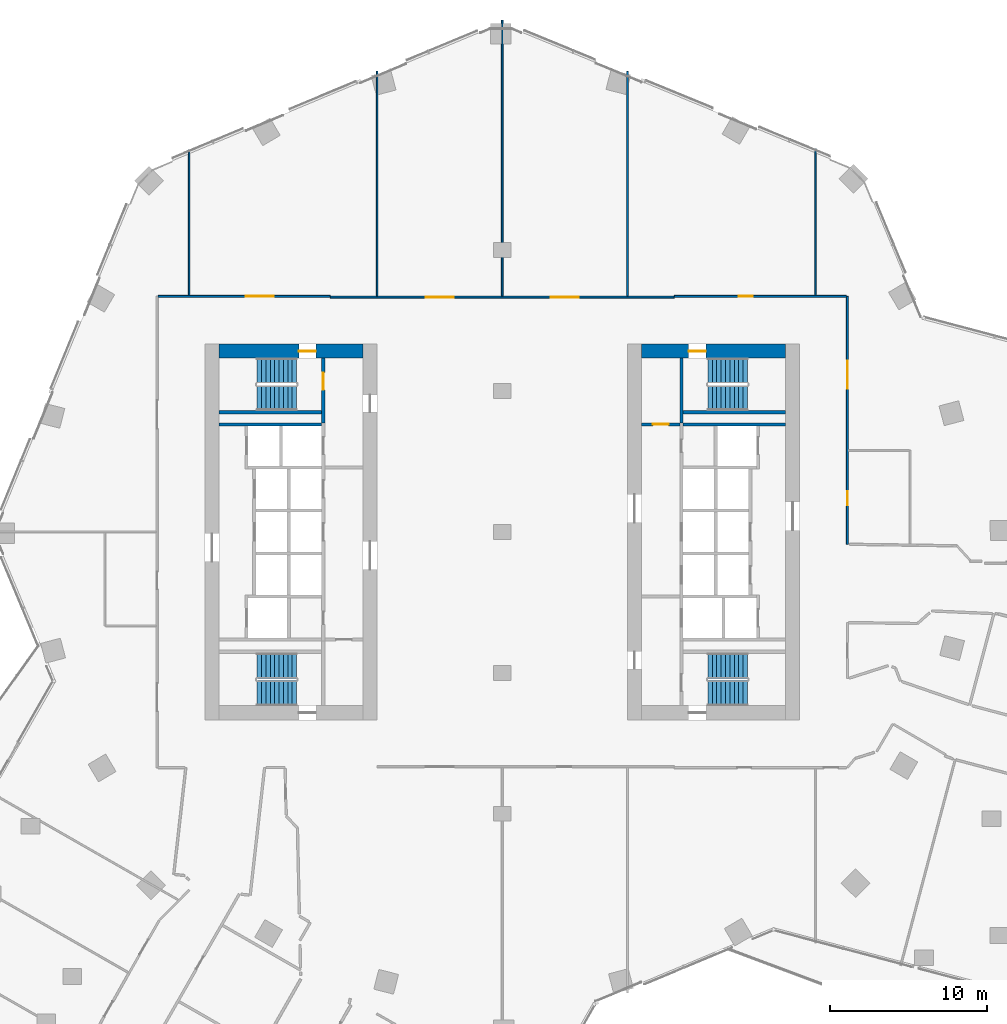
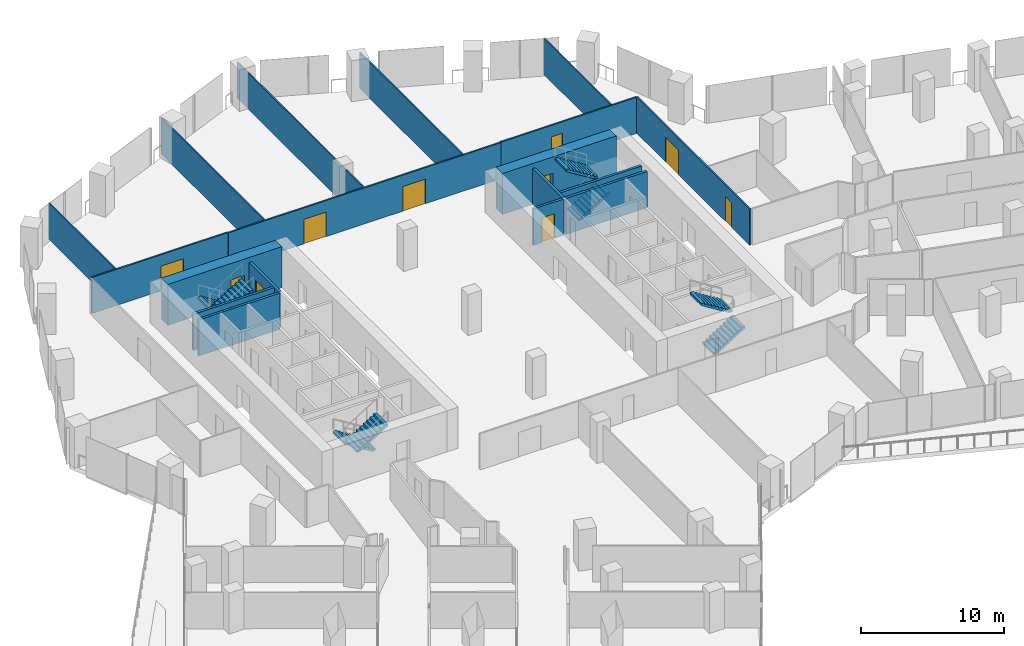
# One storey, part 28 of 34: 18 walls, 10 doors, 8 stair flights, 10 openings, 4 elements without a shape of their own.
"""IFC4 building model written with IfcOpenShell, lengths in metres."""

import ifcopenshell
import ifcopenshell.guid

model = None  # the IFC model being written
_history = None  # IfcOwnerHistory: only IFC2X3 demands one
_inside = {}  # id of a spatial element -> (the spatial element, [elements in it])
_under = {}  # id of a project, library or spatial element -> (it, [spatial elements below it])
_declared = {}  # id of a project -> (the project, [libraries it declares])
_typed = {}  # id of a type object -> (the type object, [elements of that type])
_made_of = {}  # id of a material, layer set ... -> (it, [elements and type objects made of it])


def new_model(schema):
    """Start an empty IFC model of exactly this schema.

    Asked for "IFC4X3", IfcOpenShell would pick the latest addendum, in which some entities
    have other attributes; the version numbers below select the first issue.
    IFC2X3 requires an IfcOwnerHistory on every rooted entity: one is made here for all.
    """
    global model, _history
    if schema == "IFC4X3":
        model = ifcopenshell.file(schema_version=(4, 3, 0, 0))
    else:
        model = ifcopenshell.file(schema=schema)
    _inside.clear()
    _under.clear()
    _declared.clear()
    _typed.clear()
    _made_of.clear()
    _history = None
    if model.schema == "IFC2X3":
        org = make("IfcOrganization", Name="unknown")
        user = make(
            "IfcPersonAndOrganization",
            ThePerson=make("IfcPerson", FamilyName="unknown"),
            TheOrganization=org,
        )
        app = make(
            "IfcApplication",
            ApplicationDeveloper=org,
            Version="unknown",
            ApplicationFullName="unknown",
            ApplicationIdentifier="unknown",
        )
        _history = make(
            "IfcOwnerHistory",
            OwningUser=user,
            OwningApplication=app,
            ChangeAction="ADDED",
            CreationDate=0,
        )
    return model


def make(cls, **values):
    """One entity of the class cls with the attributes given. An attribute that is None is left unset."""
    return model.create_entity(
        cls, **{name: value for name, value in values.items() if value is not None}
    )


def rooted(cls, **values):
    """An entity with a GlobalId (a new one), such as an element, a storey or a relation."""
    return make(cls, GlobalId=ifcopenshell.guid.new(), OwnerHistory=_history, **values)


def si_unit(unit_type, name, prefix=None):
    """IfcSIUnit, for example si_unit("LENGTHUNIT", "METRE", prefix="MILLI")."""
    return make("IfcSIUnit", UnitType=unit_type, Prefix=prefix, Name=name)


def assignment(units):
    """IfcUnitAssignment: the units of a project."""
    return None if units is None else make("IfcUnitAssignment", Units=units)


def point(xyz):
    """IfcCartesianPoint."""
    return None if xyz is None else make("IfcCartesianPoint", Coordinates=xyz)


def direction(xyz):
    """IfcDirection."""
    return None if xyz is None else make("IfcDirection", DirectionRatios=xyz)


def frame(location, z_axis=None, x_axis=None):
    """IfcAxis2Placement3D, a coordinate frame: its origin and axes. An axis left out is left unset."""
    return make(
        "IfcAxis2Placement3D",
        Location=point(location),
        Axis=direction(z_axis),
        RefDirection=direction(x_axis),
    )


def frame_2d(location, x_axis=None):
    """IfcAxis2Placement2D, a coordinate frame in the plane: its origin and x axis."""
    return make(
        "IfcAxis2Placement2D", Location=point(location), RefDirection=direction(x_axis)
    )


def origin():
    """The frame at (0, 0, 0) with its axes left unset."""
    return frame((0.0, 0.0, 0.0))


def place(relative_to, where):
    """IfcLocalPlacement: puts the frame where relative to a parent placement (None: the world)."""
    return make(
        "IfcLocalPlacement", PlacementRelTo=relative_to, RelativePlacement=where
    )


def context(
    kind, dimensions, precision=None, world=None, true_north=None, identifier=None
):
    """IfcGeometricRepresentationContext, for example the 3D "Model" context."""
    return make(
        "IfcGeometricRepresentationContext",
        ContextIdentifier=identifier,
        ContextType=kind,
        CoordinateSpaceDimension=dimensions,
        Precision=precision,
        WorldCoordinateSystem=world,
        TrueNorth=true_north,
    )


def subcontext(parent, identifier, kind, view, scale=None):
    """IfcGeometricRepresentationSubContext, for example "Body" below "Model"."""
    return make(
        "IfcGeometricRepresentationSubContext",
        ContextIdentifier=identifier,
        ContextType=kind,
        ParentContext=parent,
        TargetScale=scale,
        TargetView=view,
    )


def project(units=None, contexts=None):
    """IfcProject with its units and contexts."""
    return rooted(
        "IfcProject",
        Name="project",
        RepresentationContexts=contexts,
        UnitsInContext=assignment(units),
    )


def spatial(cls, under=None, at=None, **own):
    """A site, building, storey or space (cls), placed at a placement, below another one or the project."""
    s = rooted(cls, ObjectPlacement=at, **own)
    if under is not None:
        _under.setdefault(under.id(), (under, []))[1].append(s)
    return s


def polyline(points):
    """IfcPolyline through the points."""
    return make("IfcPolyline", Points=[point(p) for p in points])


def profile(cls, at=None, kind="AREA", **sizes):
    """A parametric profile (cls). Its sizes go by their IFC names, for example OverallWidth=200.0."""
    return make(cls, ProfileType=kind, Position=at, **sizes)


def rectangle(**sizes):
    """IfcRectangleProfileDef."""
    return profile("IfcRectangleProfileDef", **sizes)


def outline(outer, holes=None, kind="AREA"):
    """IfcArbitraryClosedProfileDef: a profile drawn as a closed curve; with holes, ...WithVoids."""
    if holes is None:
        return make("IfcArbitraryClosedProfileDef", ProfileType=kind, OuterCurve=outer)
    return make(
        "IfcArbitraryProfileDefWithVoids",
        ProfileType=kind,
        OuterCurve=outer,
        InnerCurves=holes,
    )


def extrude(swept, where, along, depth):
    """IfcExtrudedAreaSolid: the profile swept, set in the frame where, extruded along a direction by depth."""
    return make(
        "IfcExtrudedAreaSolid",
        SweptArea=swept,
        Position=where,
        ExtrudedDirection=direction(along),
        Depth=depth,
    )


def shape(context_of_items, identifier, shape_type, items):
    """IfcShapeRepresentation: the items that make up one representation, for example the "Body"."""
    return make(
        "IfcShapeRepresentation",
        ContextOfItems=context_of_items,
        RepresentationIdentifier=identifier,
        RepresentationType=shape_type,
        Items=items,
    )


def material(Name=None, Category=None):
    """IfcMaterial."""
    return make("IfcMaterial", Name=Name, Category=Category)


def layer(
    of_material, thickness, ventilated=None, Name=None, Category=None, Priority=None
):
    """IfcMaterialLayer: one layer of a wall or slab, of a material (None: an air gap)."""
    return make(
        "IfcMaterialLayer",
        Material=of_material,
        LayerThickness=thickness,
        IsVentilated=ventilated,
        Name=Name,
        Category=Category,
        Priority=Priority,
    )


def layer_set(layers, Name=None):
    """IfcMaterialLayerSet."""
    return make("IfcMaterialLayerSet", MaterialLayers=layers, LayerSetName=Name)


def made_of(thing, what):
    """Note that an element or type object is made of a material, layer set ...; save() writes the relation."""
    if what is not None:
        _made_of.setdefault(what.id(), (what, []))[1].append(thing)
    return thing


def type_object(cls, material=None, **own):
    """A type object (cls), such as IfcWallType, which elements share."""
    return made_of(rooted(cls, **own), material)


def element(
    cls,
    number,
    at=None,
    inside=None,
    cuts=None,
    type_object=None,
    material=None,
    context=None,
    identifier="Body",
    shape_type=None,
    held_by="IfcProductDefinitionShape",
    body=None,
    shapes=None,
    **own,
):
    """One element of the class cls, such as IfcWall. Its Tag is "e" and its number.

    at: its placement. inside: the storey or other place that contains it. cuts: it is an
    opening in that element (IfcRelVoidsElement). A single representation is given by context,
    identifier, shape_type and body (its items); several are given by shapes. held_by: the class
    of the entity that holds the representations. save() writes the other relations.
    """
    e = rooted(cls, Tag="e%d" % number, ObjectPlacement=at, **own)
    if body is not None:
        shapes = [shape(context, identifier, shape_type, body)]
    if shapes is not None:
        e.Representation = make(held_by, Representations=shapes)
    if inside is not None:
        _inside.setdefault(inside.id(), (inside, []))[1].append(e)
    if cuts is not None:
        rooted(
            "IfcRelVoidsElement", RelatingBuildingElement=cuts, RelatedOpeningElement=e
        )
    if type_object is not None:
        _typed.setdefault(type_object.id(), (type_object, []))[1].append(e)
    return made_of(e, material)


def fill(opening, filler):
    """IfcRelFillsElement: the door or window that sits in an opening."""
    return rooted(
        "IfcRelFillsElement",
        RelatingOpeningElement=opening,
        RelatedBuildingElement=filler,
    )


def aggregate(whole, parts):
    """IfcRelAggregates: a whole, such as a stair, and the parts it consists of."""
    return rooted("IfcRelAggregates", RelatingObject=whole, RelatedObjects=parts)


def save(model, path):
    """Write the relations noted so far, then the file.

    IfcRelAggregates (storeys below a building ...), IfcRelContainedInSpatialStructure (elements
    in a storey), IfcRelDefinesByType, IfcRelAssociatesMaterial and IfcRelDeclares: one each for
    every whole, place, type object, material and project.
    """
    for whole, parts in _under.values():
        aggregate(whole, parts)
    for where, things in _inside.values():
        rooted(
            "IfcRelContainedInSpatialStructure",
            RelatedElements=things,
            RelatingStructure=where,
        )
    for kind, things in _typed.values():
        rooted("IfcRelDefinesByType", RelatedObjects=things, RelatingType=kind)
    for what, things in _made_of.values():
        rooted("IfcRelAssociatesMaterial", RelatedObjects=things, RelatingMaterial=what)
    for by, libraries in _declared.values():
        rooted("IfcRelDeclares", RelatingContext=by, RelatedDefinitions=libraries)
    model.write(path)


model = new_model("IFC4")

# Units and contexts
model_context = context("Model", 3, precision=1e-05, world=origin(), true_north=direction((0.0, 1.0)))
body_context = subcontext(model_context, "Body", "Model", "MODEL_VIEW")
ifc_project = project(units=[si_unit("LENGTHUNIT", "METRE"), si_unit("AREAUNIT", "SQUARE_METRE"), si_unit("VOLUMEUNIT", "CUBIC_METRE"), si_unit("PLANEANGLEUNIT", "RADIAN"), si_unit("MASSUNIT", "GRAM", prefix="KILO")], contexts=[model_context])

# Site, building, storey
site_placement = place(None, origin())
site = spatial("IfcSite", under=ifc_project, at=site_placement, CompositionType="ELEMENT")
building_placement = place(site_placement, origin())
building = spatial("IfcBuilding", under=site, at=building_placement, Name="Orlundy Tower", CompositionType="ELEMENT")
storey_placement = place(building_placement, frame((0.0, 0.0, 102.199951171875)))
storey = spatial("IfcBuildingStorey", under=building, at=storey_placement, Name="L25", CompositionType="ELEMENT", Elevation=102.199951171875)

# Wall, opening, door
ifc_material_1 = material(Name="Concrete C80/95", Category="concrete")
ifc_layer_1 = layer(ifc_material_1, 0.89990234375)
ifc_layer_set_1 = layer_set([ifc_layer_1], Name="CORE WALL 900 C80/95")
wall_type_1 = type_object("IfcWallType", Name="CORE WALL 900 C80/95", PredefinedType="SHEAR", material=ifc_layer_set_1)
wall_1_placement = place(storey_placement, frame((-18.10009765625, 11.550048828125, 0.0), z_axis=(0.0, 0.0, 1.0), x_axis=(1.0, 0.0, 0.0)))
wall_1 = element("IfcWall", 1, at=wall_1_placement, inside=storey, type_object=wall_type_1, Name="Core wall W-N L25", PredefinedType="SHEAR", context=body_context, shape_type="SweptSolid", body=[
    extrude(rectangle(XDim=9.2001953125, YDim=0.89990234375, at=frame_2d((4.60009765625, 0.0))), origin(), (0.0, 0.0, 1.0), 3.5),
])
opening_1_placement = place(wall_1_placement, frame((5.10009765625, 0.0, 0.0)))
opening_1 = element("IfcOpeningElement", 2, at=opening_1_placement, cuts=wall_1, Name="Opening 20012", PredefinedType="OPENING", context=body_context, shape_type="SweptSolid", body=[
    extrude(rectangle(XDim=1.10009765625, YDim=2.10009765625, at=frame_2d((0.550048828125, 1.050048828125))), frame((0.0, 0.4599609375, 0.0), z_axis=(0.0, -1.0, 0.0), x_axis=(1.0, 0.0, 0.0)), (0.0, 0.0, 1.0), 0.919921875),
])
ifc_material_2 = material(Name="Steel door set", Category="steel")
door_type_1 = type_object("IfcDoorType", Name="Stair Door 1100x2100", OperationType="SINGLE_SWING_LEFT", PredefinedType="DOOR", material=ifc_material_2)
door_1_placement = place(opening_1_placement, origin())
door_1 = element("IfcDoor", 3, at=door_1_placement, inside=storey, type_object=door_type_1, Name="Stair door 20012", OperationType="SINGLE_SWING_RIGHT", OverallHeight=2.10009765625, OverallWidth=1.10009765625, PredefinedType="DOOR", context=body_context, shape_type="SweptSolid", body=[
    extrude(rectangle(XDim=1.10009765625, YDim=2.10009765625, at=frame_2d((0.550048828125, 1.050048828125))), frame((0.0, 0.02490234375, 0.0), z_axis=(0.0, -1.0, 0.0), x_axis=(1.0, 0.0, 0.0)), (0.0, 0.0, 1.0), 0.050048828125),
])
fill(opening_1, door_1)

wall_2_placement = place(storey_placement, frame((8.89990234375, 11.550048828125, 0.0), z_axis=(0.0, 0.0, 1.0), x_axis=(1.0, 0.0, 0.0)))
wall_2 = element("IfcWall", 4, at=wall_2_placement, inside=storey, type_object=wall_type_1, Name="Core wall E-N L25", PredefinedType="SHEAR", context=body_context, shape_type="SweptSolid", body=[
    extrude(rectangle(XDim=9.2001953125, YDim=0.89990234375, at=frame_2d((4.60009765625, 0.0))), origin(), (0.0, 0.0, 1.0), 3.5),
])
opening_2_placement = place(wall_2_placement, frame((3.0, 0.0, 0.0)))
opening_2 = element("IfcOpeningElement", 5, at=opening_2_placement, cuts=wall_2, Name="Opening 20062", PredefinedType="OPENING", context=body_context, shape_type="SweptSolid", body=[
    extrude(rectangle(XDim=1.10009765625, YDim=2.10009765625, at=frame_2d((0.550048828125, 1.050048828125))), frame((0.0, 0.4599609375, 0.0), z_axis=(0.0, -1.0, 0.0), x_axis=(1.0, 0.0, 0.0)), (0.0, 0.0, 1.0), 0.919921875),
])
door_2_placement = place(opening_2_placement, origin())
door_2 = element("IfcDoor", 6, at=door_2_placement, inside=storey, type_object=door_type_1, Name="Stair door 20062", OperationType="SINGLE_SWING_LEFT", OverallHeight=2.10009765625, OverallWidth=1.10009765625, PredefinedType="DOOR", context=body_context, shape_type="SweptSolid", body=[
    extrude(rectangle(XDim=1.10009765625, YDim=2.10009765625, at=frame_2d((0.550048828125, 1.050048828125))), frame((0.0, 0.02490234375, 0.0), z_axis=(0.0, -1.0, 0.0), x_axis=(1.0, 0.0, 0.0)), (0.0, 0.0, 1.0), 0.050048828125),
])
fill(opening_2, door_2)

# Walls
ifc_material_3 = material(Name="Gypsum board partition")
ifc_layer_2 = layer(ifc_material_3, 0.10009765625)
ifc_layer_set_2 = layer_set([ifc_layer_2], Name="Floor partition 100")
wall_type_2 = type_object("IfcWallType", Name="Floor partition 100", PredefinedType="PARTITIONING", material=ifc_layer_set_2)
wall_3_placement = place(storey_placement, frame((20.0, 15.114013671875, 0.0), z_axis=(0.0, 0.0, 1.0), x_axis=(0.0, 1.0, 0.0)))
element("IfcWall", 7, at=wall_3_placement, inside=storey, type_object=wall_type_2, Name="wall-int-L25-089", PredefinedType="PARTITIONING", context=body_context, shape_type="SweptSolid", body=[
    extrude(rectangle(XDim=9.373046875, YDim=0.10009765625, at=frame_2d((4.6865234375, 0.0))), origin(), (0.0, 0.0, 1.0), 3.080078125),
])
wall_4_placement = place(storey_placement, frame((8.0, 15.06298828125, 0.0), z_axis=(0.0, 0.0, 1.0), x_axis=(0.0, 1.0, 0.0)))
element("IfcWall", 8, at=wall_4_placement, inside=storey, type_object=wall_type_2, Name="wall-int-L25-091", PredefinedType="PARTITIONING", context=body_context, shape_type="SweptSolid", body=[
    extrude(rectangle(XDim=14.35400390625, YDim=0.10009765625, at=frame_2d((7.177001953125, 0.0))), origin(), (0.0, 0.0, 1.0), 3.080078125),
])
wall_5_placement = place(storey_placement, frame((0.0, 15.06298828125, 0.0), z_axis=(0.0, 0.0, 1.0), x_axis=(0.0, 1.0, 0.0)))
element("IfcWall", 9, at=wall_5_placement, inside=storey, type_object=wall_type_2, Name="wall-int-L25-093", PredefinedType="PARTITIONING", context=body_context, shape_type="SweptSolid", body=[
    extrude(rectangle(XDim=17.64111328125, YDim=0.10009765625, at=frame_2d((8.820556640625, 0.0))), origin(), (0.0, 0.0, 1.0), 3.080078125),
])
wall_6_placement = place(storey_placement, frame((-8.0, 15.06298828125, 0.0), z_axis=(0.0, 0.0, 1.0), x_axis=(0.0, 1.0, 0.0)))
element("IfcWall", 10, at=wall_6_placement, inside=storey, type_object=wall_type_2, Name="wall-int-L25-094", PredefinedType="PARTITIONING", context=body_context, shape_type="SweptSolid", body=[
    extrude(rectangle(XDim=14.37890625, YDim=0.10009765625, at=frame_2d((7.189453125, 0.0))), origin(), (0.0, 0.0, 1.0), 3.080078125),
])
wall_7_placement = place(storey_placement, frame((-20.0, 15.114013671875, 0.0), z_axis=(0.0, 0.0, 1.0), x_axis=(0.0, 1.0, 0.0)))
element("IfcWall", 11, at=wall_7_placement, inside=storey, type_object=wall_type_2, Name="wall-int-L25-095", PredefinedType="PARTITIONING", context=body_context, shape_type="SweptSolid", body=[
    extrude(rectangle(XDim=9.31591796875, YDim=0.10009765625, at=frame_2d((4.657958984375, 0.0))), origin(), (0.0, 0.0, 1.0), 3.080078125),
])

# Wall, openings, doors
ifc_material_4 = material(Name="Gypsum board partition, double layer")
ifc_layer_3 = layer(ifc_material_4, 0.125)
ifc_layer_set_3 = layer_set([ifc_layer_3], Name="Floor partition 125")
wall_type_3 = type_object("IfcWallType", Name="Floor partition 125", PredefinedType="PARTITIONING", material=ifc_layer_set_3)
wall_8_placement = place(storey_placement, frame((-10.989990234375, 15.0009765625, 0.0), z_axis=(0.0, 0.0, 1.0), x_axis=(1.0, 0.0, 0.0)))
wall_8 = element("IfcWall", 12, at=wall_8_placement, inside=storey, type_object=wall_type_3, Name="wall-int-L25-047", PredefinedType="PARTITIONING", context=body_context, shape_type="SweptSolid", body=[
    extrude(rectangle(XDim=21.97998046875, YDim=0.125, at=frame_2d((10.989990234375, 0.0))), origin(), (0.0, 0.0, 1.0), 3.080078125),
])
opening_3_placement = place(wall_8_placement, frame((14.090087890625, 0.0, 0.0)))
opening_3 = element("IfcOpeningElement", 13, at=opening_3_placement, cuts=wall_8, Name="Opening 20129", PredefinedType="OPENING", context=body_context, shape_type="SweptSolid", body=[
    extrude(rectangle(XDim=1.800048828125, YDim=2.10009765625, at=frame_2d((0.89990234375, 1.050048828125))), frame((0.0, 0.072509765625, 0.0), z_axis=(0.0, -1.0, 0.0), x_axis=(1.0, 0.0, 0.0)), (0.0, 0.0, 1.0), 0.14501953125),
])
opening_4_placement = place(wall_8_placement, frame((6.090087890625, 0.0, 0.0)))
opening_4 = element("IfcOpeningElement", 14, at=opening_4_placement, cuts=wall_8, Name="Opening 20130", PredefinedType="OPENING", context=body_context, shape_type="SweptSolid", body=[
    extrude(rectangle(XDim=1.800048828125, YDim=2.10009765625, at=frame_2d((0.89990234375, 1.050048828125))), frame((0.0, 0.072509765625, 0.0), z_axis=(0.0, -1.0, 0.0), x_axis=(1.0, 0.0, 0.0)), (0.0, 0.0, 1.0), 0.14501953125),
])
ifc_material_5 = material(Name="Timber door leaf", Category="wood")
door_type_2 = type_object("IfcDoorType", Name="Floor door double 1800 FD30S", OperationType="NOTDEFINED", PredefinedType="DOOR", material=ifc_material_5)
door_3_placement = place(opening_3_placement, origin())
door_3 = element("IfcDoor", 15, at=door_3_placement, inside=storey, type_object=door_type_2, Name="Door 20129", OperationType="DOUBLE_DOOR_SINGLE_SWING", OverallHeight=2.10009765625, OverallWidth=1.800048828125, PredefinedType="DOOR", context=body_context, shape_type="SweptSolid", body=[
    extrude(rectangle(XDim=1.800048828125, YDim=2.10009765625, at=frame_2d((0.89990234375, 1.050048828125))), frame((0.0, 0.02490234375, 0.0), z_axis=(0.0, -1.0, 0.0), x_axis=(1.0, 0.0, 0.0)), (0.0, 0.0, 1.0), 0.050048828125),
])
fill(opening_3, door_3)
door_4_placement = place(opening_4_placement, origin())
door_4 = element("IfcDoor", 16, at=door_4_placement, inside=storey, type_object=door_type_2, Name="Door 20130", OperationType="DOUBLE_DOOR_SINGLE_SWING", OverallHeight=2.10009765625, OverallWidth=1.800048828125, PredefinedType="DOOR", context=body_context, shape_type="SweptSolid", body=[
    extrude(rectangle(XDim=1.800048828125, YDim=2.10009765625, at=frame_2d((0.89990234375, 1.050048828125))), frame((0.0, 0.02490234375, 0.0), z_axis=(0.0, -1.0, 0.0), x_axis=(1.0, 0.0, 0.0)), (0.0, 0.0, 1.0), 0.050048828125),
])
fill(opening_4, door_4)

# Wall, opening, door
wall_9_placement = place(storey_placement, frame((-21.988037109375, 15.051025390625, 0.0), z_axis=(0.0, 0.0, 1.0), x_axis=(1.0, 0.0, 0.0)))
wall_9 = element("IfcWall", 17, at=wall_9_placement, inside=storey, type_object=wall_type_3, Name="wall-int-L25-048", PredefinedType="PARTITIONING", context=body_context, shape_type="SweptSolid", body=[
    extrude(rectangle(XDim=10.9970703125, YDim=0.125, at=frame_2d((5.49853515625, 0.0))), origin(), (0.0, 0.0, 1.0), 3.080078125),
])
opening_5_placement = place(wall_9_placement, frame((5.58740234375, 0.0, 0.0)))
opening_5 = element("IfcOpeningElement", 18, at=opening_5_placement, cuts=wall_9, Name="Opening 20131", PredefinedType="OPENING", context=body_context, shape_type="SweptSolid", body=[
    extrude(rectangle(XDim=1.800048828125, YDim=2.10009765625, at=frame_2d((0.89990234375, 1.050048828125))), frame((0.0, 0.072509765625, 0.0), z_axis=(0.0, -1.0, 0.0), x_axis=(1.0, 0.0, 0.0)), (0.0, 0.0, 1.0), 0.14501953125),
])
door_5_placement = place(opening_5_placement, origin())
door_5 = element("IfcDoor", 19, at=door_5_placement, inside=storey, type_object=door_type_2, Name="Door 20131", OperationType="DOUBLE_DOOR_SINGLE_SWING", OverallHeight=2.10009765625, OverallWidth=1.800048828125, PredefinedType="DOOR", context=body_context, shape_type="SweptSolid", body=[
    extrude(rectangle(XDim=1.800048828125, YDim=2.10009765625, at=frame_2d((0.89990234375, 1.050048828125))), frame((0.0, 0.02490234375, 0.0), z_axis=(0.0, -1.0, 0.0), x_axis=(1.0, 0.0, 0.0)), (0.0, 0.0, 1.0), 0.050048828125),
])
fill(opening_5, door_5)

wall_10_placement = place(storey_placement, frame((10.990966796875, 15.051025390625, 0.0), z_axis=(0.0, 0.0, 1.0), x_axis=(1.0, 0.0, 0.0)))
wall_10 = element("IfcWall", 20, at=wall_10_placement, inside=storey, type_object=wall_type_3, Name="wall-int-L25-049", PredefinedType="PARTITIONING", context=body_context, shape_type="SweptSolid", body=[
    extrude(rectangle(XDim=10.9970703125, YDim=0.125, at=frame_2d((5.49853515625, 0.0))), origin(), (0.0, 0.0, 1.0), 3.080078125),
])
opening_6_placement = place(wall_10_placement, frame((4.10009765625, 0.0, 0.0)))
opening_6 = element("IfcOpeningElement", 21, at=opening_6_placement, cuts=wall_10, Name="Opening 20128", PredefinedType="OPENING", context=body_context, shape_type="SweptSolid", body=[
    extrude(rectangle(XDim=0.89990234375, YDim=2.10009765625, at=frame_2d((0.449951171875, 1.050048828125))), frame((0.0, 0.072509765625, 0.0), z_axis=(0.0, -1.0, 0.0), x_axis=(1.0, 0.0, 0.0)), (0.0, 0.0, 1.0), 0.14501953125),
])
ifc_material_6 = material(Name="Timber door leaf", Category="wood")
door_type_3 = type_object("IfcDoorType", Name="Floor door single 900 FD30S", OperationType="NOTDEFINED", PredefinedType="DOOR", material=ifc_material_6)
door_6_placement = place(opening_6_placement, origin())
door_6 = element("IfcDoor", 22, at=door_6_placement, inside=storey, type_object=door_type_3, Name="Door 20128", OperationType="SINGLE_SWING_LEFT", OverallHeight=2.10009765625, OverallWidth=0.89990234375, PredefinedType="DOOR", context=body_context, shape_type="SweptSolid", body=[
    extrude(rectangle(XDim=0.89990234375, YDim=2.10009765625, at=frame_2d((0.449951171875, 1.050048828125))), frame((0.0, 0.02490234375, 0.0), z_axis=(0.0, -1.0, 0.0), x_axis=(1.0, 0.0, 0.0)), (0.0, 0.0, 1.0), 0.050048828125),
])
fill(opening_6, door_6)

# Wall, openings, doors
wall_11_placement = place(storey_placement, frame((22.051025390625, 15.050048828125, 0.0), z_axis=(0.0, 0.0, 1.0), x_axis=(0.0, -1.0, 0.0)))
wall_11 = element("IfcWall", 23, at=wall_11_placement, inside=storey, type_object=wall_type_3, Name="wall-int-L25-087", PredefinedType="PARTITIONING", context=body_context, shape_type="SweptSolid", body=[
    extrude(rectangle(XDim=15.8359375, YDim=0.125, at=frame_2d((7.91796875, 0.0))), origin(), (0.0, 0.0, 1.0), 3.080078125),
])
opening_7_placement = place(wall_11_placement, frame((4.10009765625, 0.0, 0.0)))
opening_7 = element("IfcOpeningElement", 24, at=opening_7_placement, cuts=wall_11, Name="Opening 20127", PredefinedType="OPENING", context=body_context, shape_type="SweptSolid", body=[
    extrude(rectangle(XDim=1.800048828125, YDim=2.10009765625, at=frame_2d((0.89990234375, 1.050048828125))), frame((0.0, 0.072509765625, 0.0), z_axis=(0.0, -1.0, 0.0), x_axis=(1.0, 0.0, 0.0)), (0.0, 0.0, 1.0), 0.14501953125),
])
opening_8_placement = place(wall_11_placement, frame((12.43701171875, 0.0, 0.0)))
opening_8 = element("IfcOpeningElement", 25, at=opening_8_placement, cuts=wall_11, Name="Opening 20133", PredefinedType="OPENING", context=body_context, shape_type="SweptSolid", body=[
    extrude(rectangle(XDim=0.89990234375, YDim=2.10009765625, at=frame_2d((0.449951171875, 1.050048828125))), frame((0.0, 0.072509765625, 0.0), z_axis=(0.0, -1.0, 0.0), x_axis=(1.0, 0.0, 0.0)), (0.0, 0.0, 1.0), 0.14501953125),
])
door_7_placement = place(opening_7_placement, origin())
door_7 = element("IfcDoor", 26, at=door_7_placement, inside=storey, type_object=door_type_2, Name="Door 20127", OperationType="DOUBLE_DOOR_SINGLE_SWING", OverallHeight=2.10009765625, OverallWidth=1.800048828125, PredefinedType="DOOR", context=body_context, shape_type="SweptSolid", body=[
    extrude(rectangle(XDim=1.800048828125, YDim=2.10009765625, at=frame_2d((0.89990234375, 1.050048828125))), frame((0.0, 0.02490234375, 0.0), z_axis=(0.0, -1.0, 0.0), x_axis=(1.0, 0.0, 0.0)), (0.0, 0.0, 1.0), 0.050048828125),
])
fill(opening_7, door_7)
door_8_placement = place(opening_8_placement, origin())
door_8 = element("IfcDoor", 27, at=door_8_placement, inside=storey, type_object=door_type_3, Name="Door 20133", OperationType="SINGLE_SWING_RIGHT", OverallHeight=2.10009765625, OverallWidth=0.89990234375, PredefinedType="DOOR", context=body_context, shape_type="SweptSolid", body=[
    extrude(rectangle(XDim=0.89990234375, YDim=2.10009765625, at=frame_2d((0.449951171875, 1.050048828125))), frame((0.0, 0.02490234375, 0.0), z_axis=(0.0, -1.0, 0.0), x_axis=(1.0, 0.0, 0.0)), (0.0, 0.0, 1.0), 0.050048828125),
])
fill(opening_8, door_8)

# Wall, opening, door
ifc_material_7 = material(Name="Concrete C40/50", Category="concrete")
ifc_layer_4 = layer(ifc_material_7, 0.199951171875)
ifc_layer_set_4 = layer_set([ifc_layer_4], Name="Load-bearing Shaft Wall 200")
wall_type_4 = type_object("IfcWallType", Name="Load-bearing Shaft Wall 200", PredefinedType="SOLIDWALL", material=ifc_layer_set_4)
wall_12_placement = place(storey_placement, frame((-11.43994140625, 6.97509765625, 0.0), z_axis=(0.0, 0.0, 1.0), x_axis=(0.0, 1.0, 0.0)))
wall_12 = element("IfcWall", 28, at=wall_12_placement, inside=storey, type_object=wall_type_4, Name="Shaft wall W20-stair-end-n", PredefinedType="SOLIDWALL", context=body_context, shape_type="SweptSolid", body=[
    extrude(rectangle(XDim=4.125, YDim=0.199951171875, at=frame_2d((2.0625, 0.0))), origin(), (0.0, 0.0, 1.0), 3.090087890625),
])
opening_9_placement = place(wall_12_placement, frame((2.10009765625, 0.0, 0.0)))
opening_9 = element("IfcOpeningElement", 29, at=opening_9_placement, cuts=wall_12, Name="Opening 20014", PredefinedType="OPENING", context=body_context, shape_type="SweptSolid", body=[
    extrude(rectangle(XDim=1.10009765625, YDim=2.10009765625, at=frame_2d((0.550048828125, 1.050048828125))), frame((0.0, 0.110107421875, 0.0), z_axis=(0.0, -1.0, 0.0), x_axis=(1.0, 0.0, 0.0)), (0.0, 0.0, 1.0), 0.22021484375),
])
ifc_material_8 = material(Name="Steel door set", Category="steel")
door_type_4 = type_object("IfcDoorType", Name="Fire-fighting Lobby Door 1100x2100", OperationType="SINGLE_SWING_LEFT", PredefinedType="DOOR", material=ifc_material_8)
door_9_placement = place(opening_9_placement, origin())
door_9 = element("IfcDoor", 30, at=door_9_placement, inside=storey, type_object=door_type_4, Name="Fire-fighting lobby to stair door 20014", OperationType="SINGLE_SWING_RIGHT", OverallHeight=2.10009765625, OverallWidth=1.10009765625, PredefinedType="DOOR", context=body_context, shape_type="SweptSolid", body=[
    extrude(rectangle(XDim=1.10009765625, YDim=2.10009765625, at=frame_2d((0.550048828125, 1.050048828125))), frame((0.0, 0.02490234375, 0.0), z_axis=(0.0, -1.0, 0.0), x_axis=(1.0, 0.0, 0.0)), (0.0, 0.0, 1.0), 0.050048828125),
])
fill(opening_9, door_9)

# Walls
wall_13_placement = place(storey_placement, frame((-11.5400390625, 7.64990234375, 0.0), z_axis=(0.0, 0.0, 1.0), x_axis=(-1.0, 0.0, 0.0)))
element("IfcWall", 31, at=wall_13_placement, inside=storey, type_object=wall_type_4, Name="Shaft wall W20-stair-side-n", PredefinedType="SOLIDWALL", context=body_context, shape_type="SweptSolid", body=[
    extrude(rectangle(XDim=6.56005859375, YDim=0.199951171875, at=frame_2d((3.280029296875, 0.0))), origin(), (0.0, 0.0, 1.0), 3.090087890625),
])
wall_14_placement = place(storey_placement, frame((11.43994140625, 11.10009765625, 0.0), z_axis=(0.0, 0.0, 1.0), x_axis=(0.0, -1.0, 0.0)))
element("IfcWall", 32, at=wall_14_placement, inside=storey, type_object=wall_type_4, Name="Shaft wall E20-stair-end-s", PredefinedType="SOLIDWALL", context=body_context, shape_type="SweptSolid", body=[
    extrude(rectangle(XDim=4.125, YDim=0.199951171875, at=frame_2d((2.0625, 0.0))), origin(), (0.0, 0.0, 1.0), 3.090087890625),
])
wall_15_placement = place(storey_placement, frame((11.5400390625, 7.64990234375, 0.0), z_axis=(0.0, 0.0, 1.0), x_axis=(1.0, 0.0, 0.0)))
element("IfcWall", 33, at=wall_15_placement, inside=storey, type_object=wall_type_4, Name="Shaft wall E20-stair-side-s", PredefinedType="SOLIDWALL", context=body_context, shape_type="SweptSolid", body=[
    extrude(rectangle(XDim=6.56005859375, YDim=0.199951171875, at=frame_2d((3.280029296875, 0.0))), origin(), (0.0, 0.0, 1.0), 3.090087890625),
])

# Wall, opening, door
ifc_material_9 = material(Name="Gypsum board partition on steel studs", Category="steel")
ifc_layer_5 = layer(ifc_material_9, 0.199951171875)
ifc_layer_set_5 = layer_set([ifc_layer_5], Name="Partition 200")
wall_type_5 = type_object("IfcWallType", Name="Partition 200", PredefinedType="PARTITIONING", material=ifc_layer_set_5)
wall_16_placement = place(storey_placement, frame((8.89990234375, 6.875, 0.0), z_axis=(0.0, 0.0, 1.0), x_axis=(1.0, 0.0, 0.0)))
wall_16 = element("IfcWall", 34, at=wall_16_placement, inside=storey, type_object=wall_type_5, Name="Partition wall E20-end-s", PredefinedType="PARTITIONING", context=body_context, shape_type="SweptSolid", body=[
    extrude(rectangle(XDim=2.440185546875, YDim=0.199951171875, at=frame_2d((1.22021484375, 0.0))), origin(), (0.0, 0.0, 1.0), 3.090087890625),
])
opening_10_placement = place(wall_16_placement, frame((0.719970703125, 0.0, 0.0)))
opening_10 = element("IfcOpeningElement", 35, at=opening_10_placement, cuts=wall_16, Name="Opening 20064", PredefinedType="OPENING", context=body_context, shape_type="SweptSolid", body=[
    extrude(rectangle(XDim=1.0, YDim=2.10009765625, at=frame_2d((0.5, 1.050048828125))), frame((0.0, 0.110107421875, 0.0), z_axis=(0.0, -1.0, 0.0), x_axis=(1.0, 0.0, 0.0)), (0.0, 0.0, 1.0), 0.22021484375),
])
ifc_material_10 = material(Name="Timber door set", Category="wood")
door_type_5 = type_object("IfcDoorType", Name="Accessible Door 1000x2100", OperationType="SINGLE_SWING_LEFT", PredefinedType="DOOR", material=ifc_material_10)
door_10_placement = place(opening_10_placement, origin())
door_10 = element("IfcDoor", 36, at=door_10_placement, inside=storey, type_object=door_type_5, Name="Accessible WC door 20064", OperationType="SINGLE_SWING_RIGHT", OverallHeight=2.10009765625, OverallWidth=1.0, PredefinedType="DOOR", context=body_context, shape_type="SweptSolid", body=[
    extrude(rectangle(XDim=1.0, YDim=2.10009765625, at=frame_2d((0.5, 1.050048828125))), frame((0.0, 0.02490234375, 0.0), z_axis=(0.0, -1.0, 0.0), x_axis=(1.0, 0.0, 0.0)), (0.0, 0.0, 1.0), 0.050048828125),
])
fill(opening_10, door_10)

# Walls
ifc_material_11 = material(Name="Fire-rated blockwork shaft wall", Category="masonry")
ifc_layer_6 = layer(ifc_material_11, 0.199951171875)
ifc_layer_set_6 = layer_set([ifc_layer_6], Name="Shaft Wall 200")
wall_type_6 = type_object("IfcWallType", Name="Shaft Wall 200", PredefinedType="SOLIDWALL", material=ifc_layer_set_6)
for number, where, z_axis, x_axis, name in (
    (37, (-11.5400390625, 6.875, 0.0), (0.0, 0.0, 1.0), (-1.0, 0.0, 0.0), "Shaft wall W20-zone-n"),
    (38, (11.5400390625, 6.875, 0.0), (0.0, 0.0, 1.0), (1.0, 0.0, 0.0), "Shaft wall E20-zone-s"),
):
    element("IfcWall", number, at=place(storey_placement, frame(where, z_axis=z_axis, x_axis=x_axis)), inside=storey, type_object=wall_type_6, Name=name, PredefinedType="SOLIDWALL", context=body_context, shape_type="SweptSolid", body=[
        extrude(rectangle(XDim=6.56005859375, YDim=0.199951171875, at=frame_2d((3.280029296875, 0.0))), origin(), (0.0, 0.0, 1.0), 3.090087890625),
    ])

# Stair, stair flights
ifc_material_12 = material(Name="Concrete C50/60", Category="concrete")
stair_type = type_object("IfcStairType", Name="Exit Stair 20 risers", PredefinedType="HALF_TURN_STAIR", material=ifc_material_12)
stair_1_placement = place(storey_placement, origin())
stair_1 = element("IfcStair", 39, at=stair_1_placement, inside=storey, type_object=stair_type, Name="L25 Exit Stair ST-W1", PredefinedType="HALF_TURN_STAIR")
ifc_material_13 = material(Name="Concrete C50/60", Category="concrete")
stair_flight_type = type_object("IfcStairFlightType", Name="Stair Flight 10 risers", PredefinedType="STRAIGHT", material=ifc_material_13)
stair_flight_1_placement = place(storey_placement, frame((-13.139892578125, 10.300048828125, 0.0), z_axis=(0.0, 0.0, 1.0), x_axis=(-1.0, 0.0, 0.0)))
stair_flight_1 = element("IfcStairFlight", 40, at=stair_flight_1_placement, type_object=stair_flight_type, Name="ST-W1 flight 1", NumberOfRisers=10, NumberOfTreads=9, PredefinedType="STRAIGHT", RiserHeight=0.175, TreadLength=0.28, context=body_context, shape_type="SweptSolid", body=[
    extrude(outline(polyline([(0.0, 0.0), (0.0, 0.175048828125), (0.280029296875, 0.175048828125), (0.280029296875, 0.35009765625), (0.56005859375, 0.35009765625), (0.56005859375, 0.52490234375), (0.840087890625, 0.52490234375), (0.840087890625, 0.699951171875), (1.1201171875, 0.699951171875), (1.1201171875, 0.875), (1.39990234375, 0.875), (1.39990234375, 1.050048828125), (1.679931640625, 1.050048828125), (1.679931640625, 1.22509765625), (1.9599609375, 1.22509765625), (1.9599609375, 1.39990234375), (2.239990234375, 1.39990234375), (2.239990234375, 1.574951171875), (2.52001953125, 1.574951171875), (2.52001953125, 1.75), (2.52001953125, 1.398193359375), (0.28271484375, 0.0), (0.0, 0.0)])), frame((0.0, 0.800048828125, 0.0), z_axis=(0.0, -1.0, 0.0), x_axis=(1.0, 0.0, 0.0)), (0.0, 0.0, 1.0), 1.60009765625),
])
stair_flight_2_placement = place(storey_placement, frame((-15.659912109375, 8.550048828125, 1.75), z_axis=(0.0, 0.0, 1.0), x_axis=(1.0, 0.0, 0.0)))
stair_flight_2 = element("IfcStairFlight", 41, at=stair_flight_2_placement, type_object=stair_flight_type, Name="ST-W1 flight 2", NumberOfRisers=10, NumberOfTreads=9, PredefinedType="STRAIGHT", RiserHeight=0.175, TreadLength=0.28, context=body_context, shape_type="SweptSolid", body=[
    extrude(outline(polyline([(0.0, 0.0), (0.0, 0.175048828125), (0.280029296875, 0.175048828125), (0.280029296875, 0.35009765625), (0.56005859375, 0.35009765625), (0.56005859375, 0.52490234375), (0.840087890625, 0.52490234375), (0.840087890625, 0.699951171875), (1.1201171875, 0.699951171875), (1.1201171875, 0.875), (1.39990234375, 0.875), (1.39990234375, 1.050048828125), (1.679931640625, 1.050048828125), (1.679931640625, 1.22509765625), (1.9599609375, 1.22509765625), (1.9599609375, 1.39990234375), (2.239990234375, 1.39990234375), (2.239990234375, 1.574951171875), (2.52001953125, 1.574951171875), (2.52001953125, 1.75), (2.52001953125, 1.398193359375), (0.28271484375, 0.0), (0.0, 0.0)])), frame((0.0, 0.800048828125, 0.0), z_axis=(0.0, -1.0, 0.0), x_axis=(1.0, 0.0, 0.0)), (0.0, 0.0, 1.0), 1.60009765625),
])
aggregate(stair_1, [stair_flight_1, stair_flight_2])

stair_2_placement = place(storey_placement, origin())
stair_2 = element("IfcStair", 42, at=stair_2_placement, inside=storey, type_object=stair_type, Name="L25 Exit Stair ST-W2", PredefinedType="HALF_TURN_STAIR")
stair_flight_3_placement = place(storey_placement, frame((-13.139892578125, -8.550048828125, 0.0), z_axis=(0.0, 0.0, 1.0), x_axis=(-1.0, 0.0, 0.0)))
stair_flight_3 = element("IfcStairFlight", 43, at=stair_flight_3_placement, type_object=stair_flight_type, Name="ST-W2 flight 1", NumberOfRisers=10, NumberOfTreads=9, PredefinedType="STRAIGHT", RiserHeight=0.175, TreadLength=0.28, context=body_context, shape_type="SweptSolid", body=[
    extrude(outline(polyline([(0.0, 0.0), (0.0, 0.175048828125), (0.280029296875, 0.175048828125), (0.280029296875, 0.35009765625), (0.56005859375, 0.35009765625), (0.56005859375, 0.52490234375), (0.840087890625, 0.52490234375), (0.840087890625, 0.699951171875), (1.1201171875, 0.699951171875), (1.1201171875, 0.875), (1.39990234375, 0.875), (1.39990234375, 1.050048828125), (1.679931640625, 1.050048828125), (1.679931640625, 1.22509765625), (1.9599609375, 1.22509765625), (1.9599609375, 1.39990234375), (2.239990234375, 1.39990234375), (2.239990234375, 1.574951171875), (2.52001953125, 1.574951171875), (2.52001953125, 1.75), (2.52001953125, 1.398193359375), (0.28271484375, 0.0), (0.0, 0.0)])), frame((0.0, 0.800048828125, 0.0), z_axis=(0.0, -1.0, 0.0), x_axis=(1.0, 0.0, 0.0)), (0.0, 0.0, 1.0), 1.60009765625),
])
stair_flight_4_placement = place(storey_placement, frame((-15.659912109375, -10.300048828125, 1.75), z_axis=(0.0, 0.0, 1.0), x_axis=(1.0, 0.0, 0.0)))
stair_flight_4 = element("IfcStairFlight", 44, at=stair_flight_4_placement, type_object=stair_flight_type, Name="ST-W2 flight 2", NumberOfRisers=10, NumberOfTreads=9, PredefinedType="STRAIGHT", RiserHeight=0.175, TreadLength=0.28, context=body_context, shape_type="SweptSolid", body=[
    extrude(outline(polyline([(0.0, 0.0), (0.0, 0.175048828125), (0.280029296875, 0.175048828125), (0.280029296875, 0.35009765625), (0.56005859375, 0.35009765625), (0.56005859375, 0.52490234375), (0.840087890625, 0.52490234375), (0.840087890625, 0.699951171875), (1.1201171875, 0.699951171875), (1.1201171875, 0.875), (1.39990234375, 0.875), (1.39990234375, 1.050048828125), (1.679931640625, 1.050048828125), (1.679931640625, 1.22509765625), (1.9599609375, 1.22509765625), (1.9599609375, 1.39990234375), (2.239990234375, 1.39990234375), (2.239990234375, 1.574951171875), (2.52001953125, 1.574951171875), (2.52001953125, 1.75), (2.52001953125, 1.398193359375), (0.28271484375, 0.0), (0.0, 0.0)])), frame((0.0, 0.800048828125, 0.0), z_axis=(0.0, -1.0, 0.0), x_axis=(1.0, 0.0, 0.0)), (0.0, 0.0, 1.0), 1.60009765625),
])
aggregate(stair_2, [stair_flight_3, stair_flight_4])

stair_3_placement = place(storey_placement, origin())
stair_3 = element("IfcStair", 45, at=stair_3_placement, inside=storey, type_object=stair_type, Name="L25 Exit Stair ST-E1", PredefinedType="HALF_TURN_STAIR")
stair_flight_5_placement = place(storey_placement, frame((13.139892578125, -10.300048828125, 0.0), z_axis=(0.0, 0.0, 1.0), x_axis=(1.0, 0.0, 0.0)))
stair_flight_5 = element("IfcStairFlight", 46, at=stair_flight_5_placement, type_object=stair_flight_type, Name="ST-E1 flight 1", NumberOfRisers=10, NumberOfTreads=9, PredefinedType="STRAIGHT", RiserHeight=0.175, TreadLength=0.28, context=body_context, shape_type="SweptSolid", body=[
    extrude(outline(polyline([(0.0, 0.0), (0.0, 0.175048828125), (0.280029296875, 0.175048828125), (0.280029296875, 0.35009765625), (0.56005859375, 0.35009765625), (0.56005859375, 0.52490234375), (0.840087890625, 0.52490234375), (0.840087890625, 0.699951171875), (1.1201171875, 0.699951171875), (1.1201171875, 0.875), (1.39990234375, 0.875), (1.39990234375, 1.050048828125), (1.679931640625, 1.050048828125), (1.679931640625, 1.22509765625), (1.9599609375, 1.22509765625), (1.9599609375, 1.39990234375), (2.239990234375, 1.39990234375), (2.239990234375, 1.574951171875), (2.52001953125, 1.574951171875), (2.52001953125, 1.75), (2.52001953125, 1.398193359375), (0.28271484375, 0.0), (0.0, 0.0)])), frame((0.0, 0.800048828125, 0.0), z_axis=(0.0, -1.0, 0.0), x_axis=(1.0, 0.0, 0.0)), (0.0, 0.0, 1.0), 1.60009765625),
])
stair_flight_6_placement = place(storey_placement, frame((15.659912109375, -8.550048828125, 1.75), z_axis=(0.0, 0.0, 1.0), x_axis=(-1.0, 0.0, 0.0)))
stair_flight_6 = element("IfcStairFlight", 47, at=stair_flight_6_placement, type_object=stair_flight_type, Name="ST-E1 flight 2", NumberOfRisers=10, NumberOfTreads=9, PredefinedType="STRAIGHT", RiserHeight=0.175, TreadLength=0.28, context=body_context, shape_type="SweptSolid", body=[
    extrude(outline(polyline([(0.0, 0.0), (0.0, 0.175048828125), (0.280029296875, 0.175048828125), (0.280029296875, 0.35009765625), (0.56005859375, 0.35009765625), (0.56005859375, 0.52490234375), (0.840087890625, 0.52490234375), (0.840087890625, 0.699951171875), (1.1201171875, 0.699951171875), (1.1201171875, 0.875), (1.39990234375, 0.875), (1.39990234375, 1.050048828125), (1.679931640625, 1.050048828125), (1.679931640625, 1.22509765625), (1.9599609375, 1.22509765625), (1.9599609375, 1.39990234375), (2.239990234375, 1.39990234375), (2.239990234375, 1.574951171875), (2.52001953125, 1.574951171875), (2.52001953125, 1.75), (2.52001953125, 1.398193359375), (0.28271484375, 0.0), (0.0, 0.0)])), frame((0.0, 0.800048828125, 0.0), z_axis=(0.0, -1.0, 0.0), x_axis=(1.0, 0.0, 0.0)), (0.0, 0.0, 1.0), 1.60009765625),
])
aggregate(stair_3, [stair_flight_5, stair_flight_6])

stair_4_placement = place(storey_placement, origin())
stair_4 = element("IfcStair", 48, at=stair_4_placement, inside=storey, type_object=stair_type, Name="L25 Exit Stair ST-E2", PredefinedType="HALF_TURN_STAIR")
stair_flight_7_placement = place(storey_placement, frame((13.139892578125, 8.550048828125, 0.0), z_axis=(0.0, 0.0, 1.0), x_axis=(1.0, 0.0, 0.0)))
stair_flight_7 = element("IfcStairFlight", 49, at=stair_flight_7_placement, type_object=stair_flight_type, Name="ST-E2 flight 1", NumberOfRisers=10, NumberOfTreads=9, PredefinedType="STRAIGHT", RiserHeight=0.175, TreadLength=0.28, context=body_context, shape_type="SweptSolid", body=[
    extrude(outline(polyline([(0.0, 0.0), (0.0, 0.175048828125), (0.280029296875, 0.175048828125), (0.280029296875, 0.35009765625), (0.56005859375, 0.35009765625), (0.56005859375, 0.52490234375), (0.840087890625, 0.52490234375), (0.840087890625, 0.699951171875), (1.1201171875, 0.699951171875), (1.1201171875, 0.875), (1.39990234375, 0.875), (1.39990234375, 1.050048828125), (1.679931640625, 1.050048828125), (1.679931640625, 1.22509765625), (1.9599609375, 1.22509765625), (1.9599609375, 1.39990234375), (2.239990234375, 1.39990234375), (2.239990234375, 1.574951171875), (2.52001953125, 1.574951171875), (2.52001953125, 1.75), (2.52001953125, 1.398193359375), (0.28271484375, 0.0), (0.0, 0.0)])), frame((0.0, 0.800048828125, 0.0), z_axis=(0.0, -1.0, 0.0), x_axis=(1.0, 0.0, 0.0)), (0.0, 0.0, 1.0), 1.60009765625),
])
stair_flight_8_placement = place(storey_placement, frame((15.659912109375, 10.300048828125, 1.75), z_axis=(0.0, 0.0, 1.0), x_axis=(-1.0, 0.0, 0.0)))
stair_flight_8 = element("IfcStairFlight", 50, at=stair_flight_8_placement, type_object=stair_flight_type, Name="ST-E2 flight 2", NumberOfRisers=10, NumberOfTreads=9, PredefinedType="STRAIGHT", RiserHeight=0.175, TreadLength=0.28, context=body_context, shape_type="SweptSolid", body=[
    extrude(outline(polyline([(0.0, 0.0), (0.0, 0.175048828125), (0.280029296875, 0.175048828125), (0.280029296875, 0.35009765625), (0.56005859375, 0.35009765625), (0.56005859375, 0.52490234375), (0.840087890625, 0.52490234375), (0.840087890625, 0.699951171875), (1.1201171875, 0.699951171875), (1.1201171875, 0.875), (1.39990234375, 0.875), (1.39990234375, 1.050048828125), (1.679931640625, 1.050048828125), (1.679931640625, 1.22509765625), (1.9599609375, 1.22509765625), (1.9599609375, 1.39990234375), (2.239990234375, 1.39990234375), (2.239990234375, 1.574951171875), (2.52001953125, 1.574951171875), (2.52001953125, 1.75), (2.52001953125, 1.398193359375), (0.28271484375, 0.0), (0.0, 0.0)])), frame((0.0, 0.800048828125, 0.0), z_axis=(0.0, -1.0, 0.0), x_axis=(1.0, 0.0, 0.0)), (0.0, 0.0, 1.0), 1.60009765625),
])
aggregate(stair_4, [stair_flight_7, stair_flight_8])

save(model, "model.ifc")
